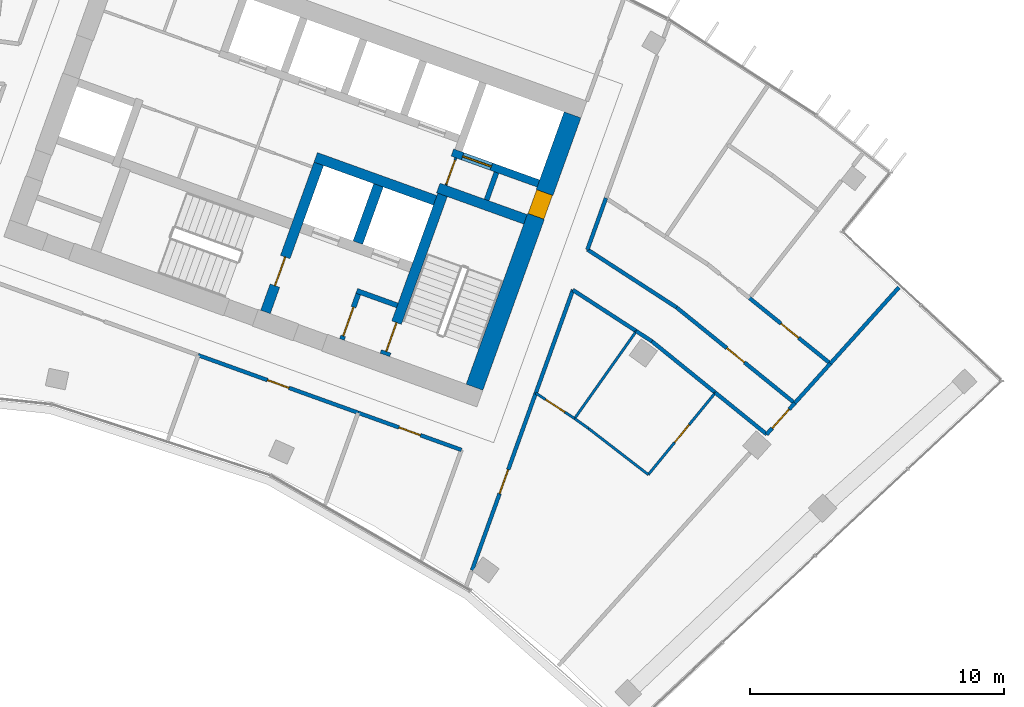
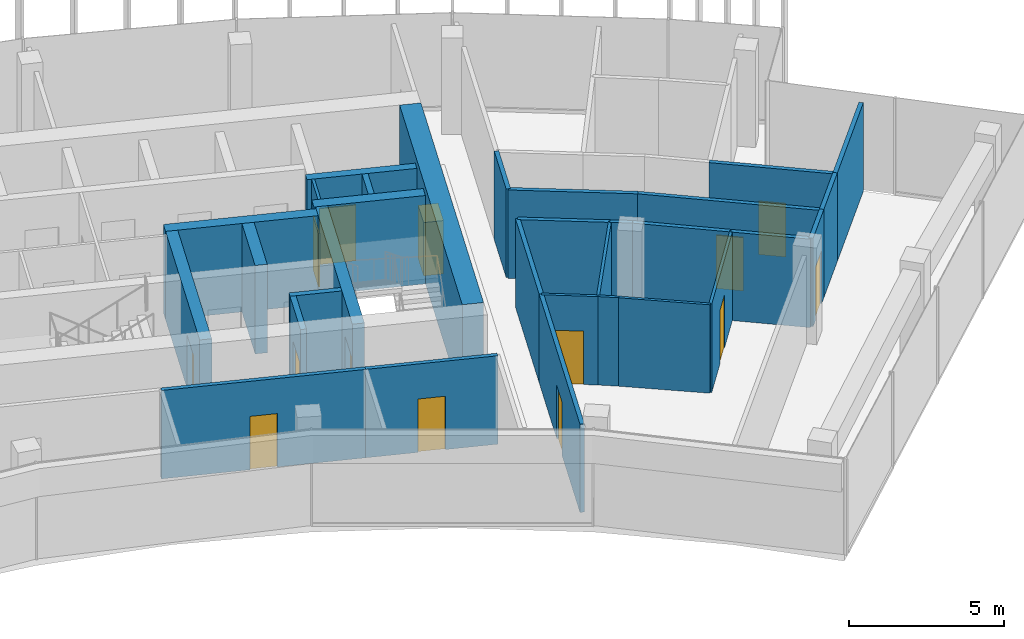
# One storey, part 17 of 19: 31 walls, 14 doors, 14 openings.
"""IFC4 building model written with IfcOpenShell, lengths in metres."""

from ifc_helpers import new_model, si_unit, direction, frame, frame_2d, origin, place, context, subcontext, project, spatial, rectangle, extrude, material, layer, layer_set, type_object, element, fill, save


model = new_model("IFC4")

# Units and contexts
model_context = context("Model", 3, precision=1e-05, world=origin(), true_north=direction((0.0, 1.0)))
body_context = subcontext(model_context, "Body", "Model", "MODEL_VIEW")
ifc_project = project(units=[si_unit("LENGTHUNIT", "METRE"), si_unit("AREAUNIT", "SQUARE_METRE"), si_unit("VOLUMEUNIT", "CUBIC_METRE"), si_unit("PLANEANGLEUNIT", "RADIAN"), si_unit("MASSUNIT", "GRAM", prefix="KILO")], contexts=[model_context])

# Site, building, storey
site_placement = place(None, origin())
site = spatial("IfcSite", under=ifc_project, at=site_placement, CompositionType="ELEMENT")
building_placement = place(site_placement, origin())
building = spatial("IfcBuilding", under=site, at=building_placement, Name="Stone Belt Terrace Tower", CompositionType="ELEMENT")
storey_placement = place(building_placement, frame((0.0, 0.0, 280.800048828125)))
storey = spatial("IfcBuildingStorey", under=building, at=storey_placement, Name="L68", CompositionType="ELEMENT", Elevation=280.800048828125)

# Wall, opening, door
ifc_material_1 = material(Name="Plasterboard partition")
ifc_layer_1 = layer(ifc_material_1, 0.10009765625)
ifc_layer_set_1 = layer_set([ifc_layer_1], Name="Core partition 100")
wall_type_1 = type_object("IfcWallType", Name="Core partition 100", PredefinedType="PARTITIONING", material=ifc_layer_set_1)
wall_1_placement = place(storey_placement, frame((24.555908203125, 51.10400390625, 0.0), z_axis=(0.0, 0.0, 1.0), x_axis=(0.338621735342, 0.94092258999, 0.0)))
wall_1 = element("IfcWall", 1, at=wall_1_placement, inside=storey, type_object=wall_type_1, Name="Core B wall", PredefinedType="PARTITIONING", context=body_context, shape_type="SweptSolid", body=[
    extrude(rectangle(XDim=1.14990234375, YDim=0.10009765625, at=frame_2d((0.574951171875, 0.0))), origin(), (0.0, 0.0, 1.0), 3.47998046875),
])
opening_1_placement = place(wall_1_placement, frame((0.050048828125, 0.0, 0.0)))
opening_1 = element("IfcOpeningElement", 2, at=opening_1_placement, cuts=wall_1, Name="Opening L68-C23", PredefinedType="OPENING", context=body_context, shape_type="SweptSolid", body=[
    extrude(rectangle(XDim=1.0, YDim=2.10009765625, at=frame_2d((0.5, 1.050048828125))), frame((0.0, 0.06005859375, 0.0), z_axis=(0.0, -1.0, 0.0), x_axis=(1.0, 0.0, 0.0)), (0.0, 0.0, 1.0), 0.1201171875),
])
ifc_material_2 = material(Name="Timber door leaf", Category="wood")
door_type_1 = type_object("IfcDoorType", Name="Core room door 1000", OperationType="SINGLE_SWING_LEFT", PredefinedType="DOOR", material=ifc_material_2)
door_1_placement = place(opening_1_placement, origin())
door_1 = element("IfcDoor", 3, at=door_1_placement, inside=storey, type_object=door_type_1, Name="Service lift lobby door core B", OperationType="SINGLE_SWING_RIGHT", OverallHeight=2.10009765625, OverallWidth=1.0, PredefinedType="DOOR", context=body_context, shape_type="SweptSolid", body=[
    extrude(rectangle(XDim=1.0, YDim=2.10009765625, at=frame_2d((0.5, 1.050048828125))), frame((0.0, 0.02490234375, 0.0), z_axis=(0.0, -1.0, 0.0), x_axis=(1.0, 0.0, 0.0)), (0.0, 0.0, 1.0), 0.050048828125),
])
fill(opening_1, door_1)

ifc_material_3 = material(Name="Concrete B60", Category="concrete")
ifc_layer_2 = layer(ifc_material_3, 0.699951171875)
ifc_layer_set_2 = layer_set([ifc_layer_2], Name="Core wall 700 B60")
wall_type_2 = type_object("IfcWallType", Name="Core wall 700 B60", PredefinedType="SHEAR", material=ifc_layer_set_2)
wall_2_placement = place(storey_placement, frame((25.679931640625, 43.153564453125, 0.0), z_axis=(0.0, 0.0, 1.0), x_axis=(0.338625431531, 0.940921259788, 0.0)))
wall_2 = element("IfcWall", 4, at=wall_2_placement, inside=storey, type_object=wall_type_2, Name="Core B wall end_b L68", PredefinedType="SHEAR", context=body_context, shape_type="SweptSolid", body=[
    extrude(rectangle(XDim=11.400146484375, YDim=0.699951171875, at=frame_2d((5.7001953125, 0.0))), origin(), (0.0, 0.0, 1.0), 3.800048828125),
])
opening_2_placement = place(wall_2_placement, frame((7.14990234375, 0.0, 0.0)))
opening_2 = element("IfcOpeningElement", 5, at=opening_2_placement, cuts=wall_2, Name="Opening L68-C22", PredefinedType="OPENING", context=body_context, shape_type="SweptSolid", body=[
    extrude(rectangle(XDim=1.0, YDim=2.10009765625, at=frame_2d((0.5, 1.050048828125))), frame((0.0, 0.35986328125, 0.0), z_axis=(0.0, -1.0, 0.0), x_axis=(1.0, 0.0, 0.0)), (0.0, 0.0, 1.0), 0.719970703125),
])
door_2_placement = place(opening_2_placement, origin())
door_2 = element("IfcDoor", 6, at=door_2_placement, inside=storey, type_object=door_type_1, Name="Door to Telecommunications riser room core B", OperationType="SINGLE_SWING_LEFT", OverallHeight=2.10009765625, OverallWidth=1.0, PredefinedType="DOOR", context=body_context, shape_type="SweptSolid", body=[
    extrude(rectangle(XDim=1.0, YDim=2.10009765625, at=frame_2d((0.5, 1.050048828125))), frame((0.0, 0.330078125, 0.0), z_axis=(0.0, -1.0, 0.0), x_axis=(1.0, 0.0, 0.0)), (0.0, 0.0, 1.0), 0.659912109375),
])
fill(opening_2, door_2)

# Walls
ifc_material_4 = material(Name="Concrete B80", Category="concrete")
ifc_layer_3 = layer(ifc_material_4, 0.39990234375)
ifc_layer_set_3 = layer_set([ifc_layer_3], Name="Fire-fighting lift shaft wall 400")
wall_type_3 = type_object("IfcWallType", Name="Fire-fighting lift shaft wall 400", PredefinedType="SHEAR", material=ifc_layer_set_3)
wall_3_placement = place(storey_placement, frame((24.130615234375, 50.512939453125, 0.0), z_axis=(0.0, 0.0, 1.0), x_axis=(-0.94091168377, 0.338652038744, 0.0)))
element("IfcWall", 7, at=wall_3_placement, inside=storey, type_object=wall_type_3, Name="Core B wall", PredefinedType="SHEAR", context=body_context, shape_type="SweptSolid", body=[
    extrude(rectangle(XDim=5.000244140625, YDim=0.39990234375, at=frame_2d((2.5, 0.0))), origin(), (0.0, 0.0, 1.0), 3.47998046875),
])
wall_4_placement = place(storey_placement, frame((21.0859375, 48.845458984375, 0.0), z_axis=(0.0, 0.0, 1.0), x_axis=(0.338629416206, 0.940919825745, 0.0)))
element("IfcWall", 8, at=wall_4_placement, inside=storey, type_object=wall_type_3, Name="Core B wall", PredefinedType="SHEAR", context=body_context, shape_type="SweptSolid", body=[
    extrude(rectangle(XDim=2.400146484375, YDim=0.39990234375, at=frame_2d((1.2001953125, 0.0))), origin(), (0.0, 0.0, 1.0), 3.47998046875),
])

# Wall, opening, door
ifc_layer_4 = layer(ifc_material_4, 0.300048828125)
ifc_layer_set_4 = layer_set([ifc_layer_4], Name="Lift shaft wall 300")
wall_type_4 = type_object("IfcWallType", Name="Lift shaft wall 300", PredefinedType="SHEAR", material=ifc_layer_set_4)
wall_5_placement = place(storey_placement, frame((28.195068359375, 51.17578125, 0.0), z_axis=(0.0, 0.0, 1.0), x_axis=(-0.940901243567, 0.338681044427, 0.0)))
wall_5 = element("IfcWall", 9, at=wall_5_placement, inside=storey, type_object=wall_type_4, Name="Core B wall", PredefinedType="SHEAR", context=body_context, shape_type="SweptSolid", body=[
    extrude(rectangle(XDim=3.599853515625, YDim=0.300048828125, at=frame_2d((1.7998046875, 0.0))), origin(), (0.0, 0.0, 1.0), 3.47998046875),
])
opening_3_placement = place(wall_5_placement, frame((1.969970703125, 0.0, 0.0)))
opening_3 = element("IfcOpeningElement", 10, at=opening_3_placement, cuts=wall_5, Name="Opening L68-LD14", PredefinedType="OPENING", context=body_context, shape_type="SweptSolid", body=[
    extrude(rectangle(XDim=1.199951171875, YDim=2.199951171875, at=frame_2d((0.60009765625, 1.10009765625))), frame((0.0, 0.159912109375, 0.0), z_axis=(0.0, -1.0, 0.0), x_axis=(1.0, 0.0, 0.0)), (0.0, 0.0, 1.0), 0.320068359375),
])
ifc_material_5 = material(Name="Stainless steel door leaf", Category="steel")
door_type_2 = type_object("IfcDoorType", Name="Landing door 1200", OperationType="SLIDING_TO_LEFT", PredefinedType="DOOR", material=ifc_material_5)
door_3_placement = place(opening_3_placement, origin())
door_3 = element("IfcDoor", 11, at=door_3_placement, inside=storey, type_object=door_type_2, Name="Landing door SV1 core B", OperationType="SLIDING_TO_LEFT", OverallHeight=2.199951171875, OverallWidth=1.199951171875, PredefinedType="DOOR", context=body_context, shape_type="SweptSolid", body=[
    extrude(rectangle(XDim=1.199951171875, YDim=2.199951171875, at=frame_2d((0.60009765625, 1.10009765625))), frame((0.0, 0.02490234375, 0.0), z_axis=(0.0, -1.0, 0.0), x_axis=(1.0, 0.0, 0.0)), (0.0, 0.0, 1.0), 0.050048828125),
])
fill(opening_3, door_3)

ifc_material_6 = material(Name="Gypsum board partition")
ifc_layer_5 = layer(ifc_material_6, 0.10009765625)
ifc_layer_set_5 = layer_set([ifc_layer_5], Name="PARTITION 100")
wall_type_5 = type_object("IfcWallType", Name="PARTITION 100", PredefinedType="PARTITIONING", material=ifc_layer_set_5)
wall_6_placement = place(storey_placement, frame((28.093017578125, 42.9208984375, 0.0), z_axis=(0.0, 0.0, 1.0), x_axis=(0.836665899721, -0.547713585958, 0.0)))
wall_6 = element("IfcWall", 12, at=wall_6_placement, inside=storey, type_object=wall_type_5, Name="L68/wall/i070", PredefinedType="PARTITIONING", context=body_context, shape_type="SweptSolid", body=[
    extrude(rectangle(XDim=1.82763671875, YDim=0.10009765625, at=frame_2d((0.913818359375, 0.0))), origin(), (0.0, 0.0, 1.0), 3.47998046875),
])
opening_4_placement = place(wall_6_placement, frame((0.4638671875, 0.0, 0.0)))
opening_4 = element("IfcOpeningElement", 13, at=opening_4_placement, cuts=wall_6, Name="Opening D-E2-20", PredefinedType="OPENING", context=body_context, shape_type="SweptSolid", body=[
    extrude(rectangle(XDim=0.89990234375, YDim=2.10009765625, at=frame_2d((0.449951171875, 1.050048828125))), frame((0.0, 0.06005859375, 0.0), z_axis=(0.0, -1.0, 0.0), x_axis=(1.0, 0.0, 0.0)), (0.0, 0.0, 1.0), 0.1201171875),
])
door_type_3 = type_object("IfcDoorType", Name="OFFICE DOOR 900 X 2100", OperationType="NOTDEFINED", PredefinedType="DOOR", material=ifc_material_2)
door_4_placement = place(opening_4_placement, origin())
door_4 = element("IfcDoor", 14, at=door_4_placement, inside=storey, type_object=door_type_3, Name="L68/door/i20", OperationType="SINGLE_SWING_RIGHT", OverallHeight=2.10009765625, OverallWidth=0.89990234375, PredefinedType="DOOR", context=body_context, shape_type="SweptSolid", body=[
    extrude(rectangle(XDim=0.89990234375, YDim=2.10009765625, at=frame_2d((0.449951171875, 1.050048828125))), frame((0.0, 0.02490234375, 0.0), z_axis=(0.0, -1.0, 0.0), x_axis=(1.0, 0.0, 0.0)), (0.0, 0.0, 1.0), 0.050048828125),
])
fill(opening_4, door_4)

# Walls
wall_7_placement = place(storey_placement, frame((29.6220703125, 41.919921875, 0.0), z_axis=(0.0, 0.0, 1.0), x_axis=(0.813170941338, -0.582024930878, 0.0)))
element("IfcWall", 15, at=wall_7_placement, inside=storey, type_object=wall_type_5, Name="L68/wall/i071", PredefinedType="PARTITIONING", context=body_context, shape_type="SweptSolid", body=[
    extrude(rectangle(XDim=0.6748046875, YDim=0.10009765625, at=frame_2d((0.33740234375, 0.0))), origin(), (0.0, 0.0, 1.0), 3.47998046875),
])
wall_8_placement = place(storey_placement, frame((30.1708984375, 41.527099609375, 0.0), z_axis=(0.0, 0.0, 1.0), x_axis=(0.791624473006, -0.611007932631, 0.0)))
element("IfcWall", 16, at=wall_8_placement, inside=storey, type_object=wall_type_5, Name="L68/wall/i072", PredefinedType="PARTITIONING", context=body_context, shape_type="SweptSolid", body=[
    extrude(rectangle(XDim=2.972412109375, YDim=0.10009765625, at=frame_2d((1.486328125, 0.0))), origin(), (0.0, 0.0, 1.0), 3.47998046875),
])

# Wall, opening, door
wall_9_placement = place(storey_placement, frame((32.52392578125, 39.7109375, 0.0), z_axis=(0.0, 0.0, 1.0), x_axis=(0.633607556463, 0.7736546157, 0.0)))
wall_9 = element("IfcWall", 17, at=wall_9_placement, inside=storey, type_object=wall_type_5, Name="L68/wall/i073", PredefinedType="PARTITIONING", context=body_context, shape_type="SweptSolid", body=[
    extrude(rectangle(XDim=4.169921875, YDim=0.10009765625, at=frame_2d((2.0849609375, 0.0))), origin(), (0.0, 0.0, 1.0), 3.47998046875),
])
opening_5_placement = place(wall_9_placement, frame((1.635009765625, 0.0, 0.0)))
opening_5 = element("IfcOpeningElement", 18, at=opening_5_placement, cuts=wall_9, Name="Opening D-E2-21", PredefinedType="OPENING", context=body_context, shape_type="SweptSolid", body=[
    extrude(rectangle(XDim=0.89990234375, YDim=2.10009765625, at=frame_2d((0.449951171875, 1.050048828125))), frame((0.0, 0.06005859375, 0.0), z_axis=(0.0, -1.0, 0.0), x_axis=(1.0, 0.0, 0.0)), (0.0, 0.0, 1.0), 0.1201171875),
])
door_5_placement = place(opening_5_placement, origin())
door_5 = element("IfcDoor", 19, at=door_5_placement, inside=storey, type_object=door_type_3, Name="L68/door/i21", OperationType="SINGLE_SWING_RIGHT", OverallHeight=2.10009765625, OverallWidth=0.89990234375, PredefinedType="DOOR", context=body_context, shape_type="SweptSolid", body=[
    extrude(rectangle(XDim=0.89990234375, YDim=2.10009765625, at=frame_2d((0.449951171875, 1.050048828125))), frame((0.0, 0.02490234375, 0.0), z_axis=(0.0, -1.0, 0.0), x_axis=(1.0, 0.0, 0.0)), (0.0, 0.0, 1.0), 0.050048828125),
])
fill(opening_5, door_5)

# Wall
wall_10_placement = place(storey_placement, frame((32.052001953125, 45.35888671875, 0.0), z_axis=(0.0, 0.0, 1.0), x_axis=(-0.577067832251, -0.816696220746, 0.0)))
element("IfcWall", 20, at=wall_10_placement, inside=storey, type_object=wall_type_5, Name="L68/wall/i074", PredefinedType="PARTITIONING", context=body_context, shape_type="SweptSolid", body=[
    extrude(rectangle(XDim=4.2109375, YDim=0.10009765625, at=frame_2d((2.10546875, 0.0))), origin(), (0.0, 0.0, 1.0), 3.47998046875),
])

# Wall, opening, door
ifc_layer_6 = layer(ifc_material_6, 0.14990234375)
ifc_layer_set_6 = layer_set([ifc_layer_6], Name="PARTITION 150 EI 60")
wall_type_6 = type_object("IfcWallType", Name="PARTITION 150 EI 60", PredefinedType="PARTITIONING", material=ifc_layer_set_6)
wall_11_placement = place(storey_placement, frame((28.094970703125, 42.927001953125, 0.0), z_axis=(0.0, 0.0, 1.0), x_axis=(-0.338591381636, -0.94093351321, 0.0)))
wall_11 = element("IfcWall", 21, at=wall_11_placement, inside=storey, type_object=wall_type_6, Name="L68/wall/i024", PredefinedType="PARTITIONING", context=body_context, shape_type="SweptSolid", body=[
    extrude(rectangle(XDim=7.424560546875, YDim=0.14990234375, at=frame_2d((3.71240234375, 0.0))), origin(), (0.0, 0.0, 1.0), 3.47998046875),
])
opening_6_placement = place(wall_11_placement, frame((3.21240234375, 0.0, 0.0)))
opening_6 = element("IfcOpeningElement", 22, at=opening_6_placement, cuts=wall_11, Name="Opening D-E2-19", PredefinedType="OPENING", context=body_context, shape_type="SweptSolid", body=[
    extrude(rectangle(XDim=1.0, YDim=2.10009765625, at=frame_2d((0.5, 1.050048828125))), frame((0.0, 0.0849609375, 0.0), z_axis=(0.0, -1.0, 0.0), x_axis=(1.0, 0.0, 0.0)), (0.0, 0.0, 1.0), 0.169921875),
])
ifc_material_7 = material(Name="Timber fire door leaf", Category="wood")
door_type_4 = type_object("IfcDoorType", Name="TENANCY ENTRANCE DOOR 1000 X 2100", OperationType="NOTDEFINED", PredefinedType="DOOR", material=ifc_material_7)
door_6_placement = place(opening_6_placement, origin())
door_6 = element("IfcDoor", 23, at=door_6_placement, inside=storey, type_object=door_type_4, Name="L68/door/i19", OperationType="SINGLE_SWING_RIGHT", OverallHeight=2.10009765625, OverallWidth=1.0, PredefinedType="DOOR", context=body_context, shape_type="SweptSolid", body=[
    extrude(rectangle(XDim=1.0, YDim=2.10009765625, at=frame_2d((0.5, 1.050048828125))), frame((0.0, 0.02490234375, 0.0), z_axis=(0.0, -1.0, 0.0), x_axis=(1.0, 0.0, 0.0)), (0.0, 0.0, 1.0), 0.050048828125),
])
fill(opening_6, door_6)

# Walls
wall_12_placement = place(storey_placement, frame((29.556884765625, 46.987060546875, 0.0), z_axis=(0.0, 0.0, 1.0), x_axis=(-0.338697494678, -0.940895322073, 0.0)))
element("IfcWall", 24, at=wall_12_placement, inside=storey, type_object=wall_type_6, Name="L68/wall/i026", PredefinedType="PARTITIONING", context=body_context, shape_type="SweptSolid", body=[
    extrude(rectangle(XDim=4.327880859375, YDim=0.14990234375, at=frame_2d((2.1640625, 0.0))), origin(), (0.0, 0.0, 1.0), 3.47998046875),
])
wall_13_placement = place(storey_placement, frame((30.85791015625, 50.60400390625, 0.0), z_axis=(0.0, 0.0, 1.0), x_axis=(-0.338315840616, -0.941032620045, 0.0)))
element("IfcWall", 25, at=wall_13_placement, inside=storey, type_object=wall_type_6, Name="L68/wall/i027", PredefinedType="PARTITIONING", context=body_context, shape_type="SweptSolid", body=[
    extrude(rectangle(XDim=2.16357421875, YDim=0.14990234375, at=frame_2d((1.081787109375, 0.0))), origin(), (0.0, 0.0, 1.0), 3.47998046875),
])

# Wall, opening, door
wall_14_placement = place(storey_placement, frame((21.10400390625, 42.14404296875, 0.0), z_axis=(0.0, 0.0, 1.0), x_axis=(-0.940892519903, 0.338705278952, 0.0)))
wall_14 = element("IfcWall", 26, at=wall_14_placement, inside=storey, type_object=wall_type_6, Name="L68/wall/i031", PredefinedType="PARTITIONING", context=body_context, shape_type="SweptSolid", body=[
    extrude(rectangle(XDim=6.7021484375, YDim=0.14990234375, at=frame_2d((3.35107421875, 0.0))), origin(), (0.0, 0.0, 1.0), 3.47998046875),
])
opening_7_placement = place(wall_14_placement, frame((2.901123046875, 0.0, 0.0)))
opening_7 = element("IfcOpeningElement", 27, at=opening_7_placement, cuts=wall_14, Name="Opening D-E2-07", PredefinedType="OPENING", context=body_context, shape_type="SweptSolid", body=[
    extrude(rectangle(XDim=0.89990234375, YDim=2.10009765625, at=frame_2d((0.449951171875, 1.050048828125))), frame((0.0, 0.0849609375, 0.0), z_axis=(0.0, -1.0, 0.0), x_axis=(1.0, 0.0, 0.0)), (0.0, 0.0, 1.0), 0.169921875),
])
door_7_placement = place(opening_7_placement, origin())
door_7 = element("IfcDoor", 28, at=door_7_placement, inside=storey, type_object=door_type_3, Name="L68/door/i07", OperationType="SINGLE_SWING_RIGHT", OverallHeight=2.10009765625, OverallWidth=0.89990234375, PredefinedType="DOOR", context=body_context, shape_type="SweptSolid", body=[
    extrude(rectangle(XDim=0.89990234375, YDim=2.10009765625, at=frame_2d((0.449951171875, 1.050048828125))), frame((0.0, 0.02490234375, 0.0), z_axis=(0.0, -1.0, 0.0), x_axis=(1.0, 0.0, 0.0)), (0.0, 0.0, 1.0), 0.050048828125),
])
fill(opening_7, door_7)

wall_15_placement = place(storey_placement, frame((25.1630859375, 40.68310546875, 0.0), z_axis=(0.0, 0.0, 1.0), x_axis=(-0.94091546888, 0.338641522001, 0.0)))
wall_15 = element("IfcWall", 29, at=wall_15_placement, inside=storey, type_object=wall_type_6, Name="L68/wall/i032", PredefinedType="PARTITIONING", context=body_context, shape_type="SweptSolid", body=[
    extrude(rectangle(XDim=4.32568359375, YDim=0.14990234375, at=frame_2d((2.162841796875, 0.0))), origin(), (0.0, 0.0, 1.0), 3.47998046875),
])
opening_8_placement = place(wall_15_placement, frame((1.712890625, 0.0, 0.0)))
opening_8 = element("IfcOpeningElement", 30, at=opening_8_placement, cuts=wall_15, Name="Opening D-E2-08", PredefinedType="OPENING", context=body_context, shape_type="SweptSolid", body=[
    extrude(rectangle(XDim=0.89990234375, YDim=2.10009765625, at=frame_2d((0.449951171875, 1.050048828125))), frame((0.0, 0.0849609375, 0.0), z_axis=(0.0, -1.0, 0.0), x_axis=(1.0, 0.0, 0.0)), (0.0, 0.0, 1.0), 0.169921875),
])
door_8_placement = place(opening_8_placement, origin())
door_8 = element("IfcDoor", 31, at=door_8_placement, inside=storey, type_object=door_type_3, Name="L68/door/i08", OperationType="SINGLE_SWING_RIGHT", OverallHeight=2.10009765625, OverallWidth=0.89990234375, PredefinedType="DOOR", context=body_context, shape_type="SweptSolid", body=[
    extrude(rectangle(XDim=0.89990234375, YDim=2.10009765625, at=frame_2d((0.449951171875, 1.050048828125))), frame((0.0, 0.02490234375, 0.0), z_axis=(0.0, -1.0, 0.0), x_axis=(1.0, 0.0, 0.0)), (0.0, 0.0, 1.0), 0.050048828125),
])
fill(opening_8, door_8)

wall_16_placement = place(storey_placement, frame((38.294921875, 42.530029296875, 0.0), z_axis=(0.0, 0.0, 1.0), x_axis=(-0.669037778615, -0.743228397456, 0.0)))
wall_16 = element("IfcWall", 32, at=wall_16_placement, inside=storey, type_object=wall_type_6, Name="L68/wall/i060", PredefinedType="PARTITIONING", context=body_context, shape_type="SweptSolid", body=[
    extrude(rectangle(XDim=1.661865234375, YDim=0.14990234375, at=frame_2d((0.8310546875, 0.0))), origin(), (0.0, 0.0, 1.0), 3.47998046875),
])
opening_9_placement = place(wall_16_placement, frame((0.330810546875, 0.0, 0.0)))
opening_9 = element("IfcOpeningElement", 33, at=opening_9_placement, cuts=wall_16, Name="Opening D-E2-18", PredefinedType="OPENING", context=body_context, shape_type="SweptSolid", body=[
    extrude(rectangle(XDim=1.0, YDim=2.10009765625, at=frame_2d((0.5, 1.050048828125))), frame((0.0, 0.0849609375, 0.0), z_axis=(0.0, -1.0, 0.0), x_axis=(1.0, 0.0, 0.0)), (0.0, 0.0, 1.0), 0.169921875),
])
door_9_placement = place(opening_9_placement, origin())
door_9 = element("IfcDoor", 34, at=door_9_placement, inside=storey, type_object=door_type_4, Name="L68/door/i18", OperationType="SINGLE_SWING_RIGHT", OverallHeight=2.10009765625, OverallWidth=1.0, PredefinedType="DOOR", context=body_context, shape_type="SweptSolid", body=[
    extrude(rectangle(XDim=1.0, YDim=2.10009765625, at=frame_2d((0.5, 1.050048828125))), frame((0.0, 0.02490234375, 0.0), z_axis=(0.0, -1.0, 0.0), x_axis=(1.0, 0.0, 0.0)), (0.0, 0.0, 1.0), 0.050048828125),
])
fill(opening_9, door_9)

# Walls
wall_17_placement = place(storey_placement, frame((38.287109375, 42.52099609375, 0.0), z_axis=(0.0, 0.0, 1.0), x_axis=(0.668856019275, 0.743391972972, 0.0)))
element("IfcWall", 35, at=wall_17_placement, inside=storey, type_object=wall_type_6, Name="L68/wall/i062", PredefinedType="PARTITIONING", context=body_context, shape_type="SweptSolid", body=[
    extrude(rectangle(XDim=2.109375, YDim=0.14990234375, at=frame_2d((1.0546875, 0.0))), origin(), (0.0, 0.0, 1.0), 3.47998046875),
])
wall_18_placement = place(storey_placement, frame((39.69091796875, 44.080078125, 0.0), z_axis=(0.0, 0.0, 1.0), x_axis=(0.669038042055, 0.743228160314, 0.0)))
element("IfcWall", 36, at=wall_18_placement, inside=storey, type_object=wall_type_6, Name="L68/wall/i063", PredefinedType="PARTITIONING", context=body_context, shape_type="SweptSolid", body=[
    extrude(rectangle(XDim=4.047607421875, YDim=0.14990234375, at=frame_2d((2.02392578125, 0.0))), origin(), (0.0, 0.0, 1.0), 3.47998046875),
])
wall_19_placement = place(storey_placement, frame((37.18701171875, 41.300048828125, 0.0), z_axis=(0.0, 0.0, 1.0), x_axis=(-0.777118376865, 0.629354453658, 0.0)))
element("IfcWall", 37, at=wall_19_placement, inside=storey, type_object=wall_type_6, Name="L68/wall/i064", PredefinedType="PARTITIONING", context=body_context, shape_type="SweptSolid", body=[
    extrude(rectangle(XDim=2.607177734375, YDim=0.14990234375, at=frame_2d((1.3037109375, 0.0))), origin(), (0.0, 0.0, 1.0), 3.47998046875),
])
wall_20_placement = place(storey_placement, frame((32.056884765625, 45.35693359375, 0.0), z_axis=(0.0, 0.0, 1.0), x_axis=(-0.838787531039, 0.544458885292, 0.0)))
element("IfcWall", 38, at=wall_20_placement, inside=storey, type_object=wall_type_6, Name="L68/wall/i065", PredefinedType="PARTITIONING", context=body_context, shape_type="SweptSolid", body=[
    extrude(rectangle(XDim=2.98291015625, YDim=0.14990234375, at=frame_2d((1.491455078125, 0.0))), origin(), (0.0, 0.0, 1.0), 3.47998046875),
])
wall_21_placement = place(storey_placement, frame((35.1708984375, 42.93310546875, 0.0), z_axis=(0.0, 0.0, 1.0), x_axis=(-0.777234285816, 0.629211303897, 0.0)))
element("IfcWall", 39, at=wall_21_placement, inside=storey, type_object=wall_type_6, Name="L68/wall/i066", PredefinedType="PARTITIONING", context=body_context, shape_type="SweptSolid", body=[
    extrude(rectangle(XDim=3.222900390625, YDim=0.14990234375, at=frame_2d((1.611328125, 0.0))), origin(), (0.0, 0.0, 1.0), 3.47998046875),
])
wall_22_placement = place(storey_placement, frame((32.666015625, 44.9609375, 0.0), z_axis=(0.0, 0.0, 1.0), x_axis=(-0.838163562797, 0.545418960066, 0.0)))
element("IfcWall", 40, at=wall_22_placement, inside=storey, type_object=wall_type_6, Name="L68/wall/i067", PredefinedType="PARTITIONING", context=body_context, shape_type="SweptSolid", body=[
    extrude(rectangle(XDim=0.7373046875, YDim=0.14990234375, at=frame_2d((0.36865234375, 0.0))), origin(), (0.0, 0.0, 1.0), 3.47998046875),
])
wall_23_placement = place(storey_placement, frame((30.1279296875, 48.573974609375, 0.0), z_axis=(0.0, 0.0, 1.0), x_axis=(0.838679571288, -0.544625170832, 0.0)))
element("IfcWall", 41, at=wall_23_placement, inside=storey, type_object=wall_type_6, Name="L68/wall/i068", PredefinedType="PARTITIONING", context=body_context, shape_type="SweptSolid", body=[
    extrude(rectangle(XDim=4.182861328125, YDim=0.14990234375, at=frame_2d((2.09130859375, 0.0))), origin(), (0.0, 0.0, 1.0), 3.47998046875),
])

# Wall, opening, door
wall_24_placement = place(storey_placement, frame((33.635986328125, 46.2958984375, 0.0), z_axis=(0.0, 0.0, 1.0), x_axis=(0.777109127033, -0.629365875054, 0.0)))
wall_24 = element("IfcWall", 42, at=wall_24_placement, inside=storey, type_object=wall_type_6, Name="L68/wall/i069", PredefinedType="PARTITIONING", context=body_context, shape_type="SweptSolid", body=[
    extrude(rectangle(XDim=5.990234375, YDim=0.14990234375, at=frame_2d((2.9951171875, 0.0))), origin(), (0.0, 0.0, 1.0), 3.47998046875),
])
opening_10_placement = place(wall_24_placement, frame((2.545166015625, 0.0, 0.0)))
opening_10 = element("IfcOpeningElement", 43, at=opening_10_placement, cuts=wall_24, Name="Opening D-E2-22", PredefinedType="OPENING", context=body_context, shape_type="SweptSolid", body=[
    extrude(rectangle(XDim=0.89990234375, YDim=2.10009765625, at=frame_2d((0.449951171875, 1.050048828125))), frame((0.0, 0.0849609375, 0.0), z_axis=(0.0, -1.0, 0.0), x_axis=(1.0, 0.0, 0.0)), (0.0, 0.0, 1.0), 0.169921875),
])
door_10_placement = place(opening_10_placement, origin())
door_10 = element("IfcDoor", 44, at=door_10_placement, inside=storey, type_object=door_type_3, Name="L68/door/i22", OperationType="SINGLE_SWING_RIGHT", OverallHeight=2.10009765625, OverallWidth=0.89990234375, PredefinedType="DOOR", context=body_context, shape_type="SweptSolid", body=[
    extrude(rectangle(XDim=0.89990234375, YDim=2.10009765625, at=frame_2d((0.449951171875, 1.050048828125))), frame((0.0, 0.02490234375, 0.0), z_axis=(0.0, -1.0, 0.0), x_axis=(1.0, 0.0, 0.0)), (0.0, 0.0, 1.0), 0.050048828125),
])
fill(opening_10, door_10)

wall_25_placement = place(storey_placement, frame((36.5048828125, 46.6669921875, 0.0), z_axis=(0.0, 0.0, 1.0), x_axis=(0.777210230824, -0.629241016703, 0.0)))
wall_25 = element("IfcWall", 45, at=wall_25_placement, inside=storey, type_object=wall_type_6, Name="L68/wall/i078", PredefinedType="PARTITIONING", context=body_context, shape_type="SweptSolid", body=[
    extrude(rectangle(XDim=4.103515625, YDim=0.14990234375, at=frame_2d((2.0517578125, 0.0))), origin(), (0.0, 0.0, 1.0), 3.47998046875),
])
opening_11_placement = place(wall_25_placement, frame((1.6015625, 0.0, 0.0)))
opening_11 = element("IfcOpeningElement", 46, at=opening_11_placement, cuts=wall_25, Name="Opening D-E2-25", PredefinedType="OPENING", context=body_context, shape_type="SweptSolid", body=[
    extrude(rectangle(XDim=0.89990234375, YDim=2.10009765625, at=frame_2d((0.449951171875, 1.050048828125))), frame((0.0, 0.0849609375, 0.0), z_axis=(0.0, -1.0, 0.0), x_axis=(1.0, 0.0, 0.0)), (0.0, 0.0, 1.0), 0.169921875),
])
door_11_placement = place(opening_11_placement, origin())
door_11 = element("IfcDoor", 47, at=door_11_placement, inside=storey, type_object=door_type_3, Name="L68/door/i25", OperationType="SINGLE_SWING_RIGHT", OverallHeight=2.10009765625, OverallWidth=0.89990234375, PredefinedType="DOOR", context=body_context, shape_type="SweptSolid", body=[
    extrude(rectangle(XDim=0.89990234375, YDim=2.10009765625, at=frame_2d((0.449951171875, 1.050048828125))), frame((0.0, 0.02490234375, 0.0), z_axis=(0.0, -1.0, 0.0), x_axis=(1.0, 0.0, 0.0)), (0.0, 0.0, 1.0), 0.050048828125),
])
fill(opening_11, door_11)

# Walls
ifc_material_8 = material(Name="Concrete masonry block", Category="masonry")
ifc_layer_7 = layer(ifc_material_8, 0.199951171875)
ifc_layer_set_7 = layer_set([ifc_layer_7], Name="Rated lobby wall 200")
wall_type_7 = type_object("IfcWallType", Name="Rated lobby wall 200", PredefinedType="PARTITIONING", material=ifc_layer_set_7)
wall_26_placement = place(storey_placement, frame((26.1552734375, 50.5283203125, 0.0), z_axis=(0.0, 0.0, 1.0), x_axis=(0.338621735342, 0.94092258999, 0.0)))
element("IfcWall", 48, at=wall_26_placement, inside=storey, type_object=wall_type_7, Name="Core B wall", PredefinedType="PARTITIONING", context=body_context, shape_type="SweptSolid", body=[
    extrude(rectangle(XDim=1.14990234375, YDim=0.199951171875, at=frame_2d((0.574951171875, 0.0))), origin(), (0.0, 0.0, 1.0), 3.47998046875),
])
wall_27_placement = place(storey_placement, frame((22.640625, 46.373046875, 0.0), z_axis=(0.0, 0.0, 1.0), x_axis=(-0.940966110313, 0.338500781747, 0.0)))
element("IfcWall", 49, at=wall_27_placement, inside=storey, type_object=wall_type_7, Name="Core B wall", PredefinedType="PARTITIONING", context=body_context, shape_type="SweptSolid", body=[
    extrude(rectangle(XDim=1.699951171875, YDim=0.199951171875, at=frame_2d((0.85009765625, 0.0))), origin(), (0.0, 0.0, 1.0), 3.47998046875),
])

# Wall, opening, door
wall_28_placement = place(storey_placement, frame((20.4580078125, 45.032958984375, 0.0), z_axis=(0.0, 0.0, 1.0), x_axis=(0.338573865316, 0.940939816208, 0.0)))
wall_28 = element("IfcWall", 50, at=wall_28_placement, inside=storey, type_object=wall_type_7, Name="Core B wall", PredefinedType="PARTITIONING", context=body_context, shape_type="SweptSolid", body=[
    extrude(rectangle(XDim=1.900146484375, YDim=0.199951171875, at=frame_2d((0.9501953125, 0.0))), origin(), (0.0, 0.0, 1.0), 3.47998046875),
])
opening_12_placement = place(wall_28_placement, frame((0.14990234375, 0.0, 0.0)))
opening_12 = element("IfcOpeningElement", 51, at=opening_12_placement, cuts=wall_28, Name="Opening L68-C27", PredefinedType="OPENING", context=body_context, shape_type="SweptSolid", body=[
    extrude(rectangle(XDim=1.199951171875, YDim=2.10009765625, at=frame_2d((0.60009765625, 1.050048828125))), frame((0.0, 0.10986328125, 0.0), z_axis=(0.0, -1.0, 0.0), x_axis=(1.0, 0.0, 0.0)), (0.0, 0.0, 1.0), 0.219970703125),
])
ifc_material_9 = material(Name="Steel door leaf", Category="steel")
door_type_5 = type_object("IfcDoorType", Name="Stair door 1200", OperationType="SINGLE_SWING_LEFT", PredefinedType="DOOR", material=ifc_material_9)
door_12_placement = place(opening_12_placement, origin())
door_12 = element("IfcDoor", 52, at=door_12_placement, inside=storey, type_object=door_type_5, Name="Stair airlock door core B", OperationType="SINGLE_SWING_RIGHT", OverallHeight=2.10009765625, OverallWidth=1.199951171875, PredefinedType="DOOR", context=body_context, shape_type="SweptSolid", body=[
    extrude(rectangle(XDim=1.199951171875, YDim=2.10009765625, at=frame_2d((0.60009765625, 1.050048828125))), frame((0.0, 0.02490234375, 0.0), z_axis=(0.0, -1.0, 0.0), x_axis=(1.0, 0.0, 0.0)), (0.0, 0.0, 1.0), 0.050048828125),
])
fill(opening_12, door_12)

# Wall
ifc_layer_8 = layer(ifc_material_4, 0.39990234375)
ifc_layer_set_8 = layer_set([ifc_layer_8], Name="Stair enclosure wall 400")
wall_type_8 = type_object("IfcWallType", Name="Stair enclosure wall 400", PredefinedType="SHEAR", material=ifc_layer_set_8)
wall_29_placement = place(storey_placement, frame((27.687255859375, 49.764404296875, 0.0), z_axis=(0.0, 0.0, 1.0), x_axis=(-0.940918954884, 0.338631835981, 0.0)))
element("IfcWall", 53, at=wall_29_placement, inside=storey, type_object=wall_type_8, Name="Core B wall", PredefinedType="SHEAR", context=body_context, shape_type="SweptSolid", body=[
    extrude(rectangle(XDim=3.650146484375, YDim=0.39990234375, at=frame_2d((1.8251953125, 0.0))), origin(), (0.0, 0.0, 1.0), 3.47998046875),
])

# Wall, opening, door
wall_30_placement = place(storey_placement, frame((22.151611328125, 44.42333984375, 0.0), z_axis=(0.0, 0.0, 1.0), x_axis=(0.338625272931, 0.940921316866, 0.0)))
wall_30 = element("IfcWall", 54, at=wall_30_placement, inside=storey, type_object=wall_type_8, Name="Core B wall", PredefinedType="SHEAR", context=body_context, shape_type="SweptSolid", body=[
    extrude(rectangle(XDim=6.699951171875, YDim=0.39990234375, at=frame_2d((3.35009765625, 0.0))), origin(), (0.0, 0.0, 1.0), 3.47998046875),
])
opening_13_placement = place(wall_30_placement, frame((0.14990234375, 0.0, 0.0)))
opening_13 = element("IfcOpeningElement", 55, at=opening_13_placement, cuts=wall_30, Name="Opening L68-C26", PredefinedType="OPENING", context=body_context, shape_type="SweptSolid", body=[
    extrude(rectangle(XDim=1.199951171875, YDim=2.10009765625, at=frame_2d((0.60009765625, 1.050048828125))), frame((0.0, 0.2099609375, 0.0), z_axis=(0.0, -1.0, 0.0), x_axis=(1.0, 0.0, 0.0)), (0.0, 0.0, 1.0), 0.419921875),
])
door_13_placement = place(opening_13_placement, origin())
door_13 = element("IfcDoor", 56, at=door_13_placement, inside=storey, type_object=door_type_5, Name="Stair 1 door core B", OperationType="SINGLE_SWING_RIGHT", OverallHeight=2.10009765625, OverallWidth=1.199951171875, PredefinedType="DOOR", context=body_context, shape_type="SweptSolid", body=[
    extrude(rectangle(XDim=1.199951171875, YDim=2.10009765625, at=frame_2d((0.60009765625, 1.050048828125))), frame((0.0, 0.02490234375, 0.0), z_axis=(0.0, -1.0, 0.0), x_axis=(1.0, 0.0, 0.0)), (0.0, 0.0, 1.0), 0.050048828125),
])
fill(opening_13, door_13)

wall_31_placement = place(storey_placement, frame((17.447021484375, 46.116455078125, 0.0), z_axis=(0.0, 0.0, 1.0), x_axis=(0.33860791464, 0.940927563707, 0.0)))
wall_31 = element("IfcWall", 57, at=wall_31_placement, inside=storey, type_object=wall_type_8, Name="Core B wall", PredefinedType="SHEAR", context=body_context, shape_type="SweptSolid", body=[
    extrude(rectangle(XDim=6.199951171875, YDim=0.39990234375, at=frame_2d((3.10009765625, 0.0))), origin(), (0.0, 0.0, 1.0), 3.47998046875),
])
opening_14_placement = place(wall_31_placement, frame((1.10009765625, 0.0, 0.0)))
opening_14 = element("IfcOpeningElement", 58, at=opening_14_placement, cuts=wall_31, Name="Opening L68-C29", PredefinedType="OPENING", context=body_context, shape_type="SweptSolid", body=[
    extrude(rectangle(XDim=1.199951171875, YDim=2.10009765625, at=frame_2d((0.60009765625, 1.050048828125))), frame((0.0, 0.2099609375, 0.0), z_axis=(0.0, -1.0, 0.0), x_axis=(1.0, 0.0, 0.0)), (0.0, 0.0, 1.0), 0.419921875),
])
door_14_placement = place(opening_14_placement, origin())
door_14 = element("IfcDoor", 59, at=door_14_placement, inside=storey, type_object=door_type_5, Name="Stair 2 door core B", OperationType="SINGLE_SWING_RIGHT", OverallHeight=2.10009765625, OverallWidth=1.199951171875, PredefinedType="DOOR", context=body_context, shape_type="SweptSolid", body=[
    extrude(rectangle(XDim=1.199951171875, YDim=2.10009765625, at=frame_2d((0.60009765625, 1.050048828125))), frame((0.0, 0.02490234375, 0.0), z_axis=(0.0, -1.0, 0.0), x_axis=(1.0, 0.0, 0.0)), (0.0, 0.0, 1.0), 0.050048828125),
])
fill(opening_14, door_14)

save(model, "model.ifc")
